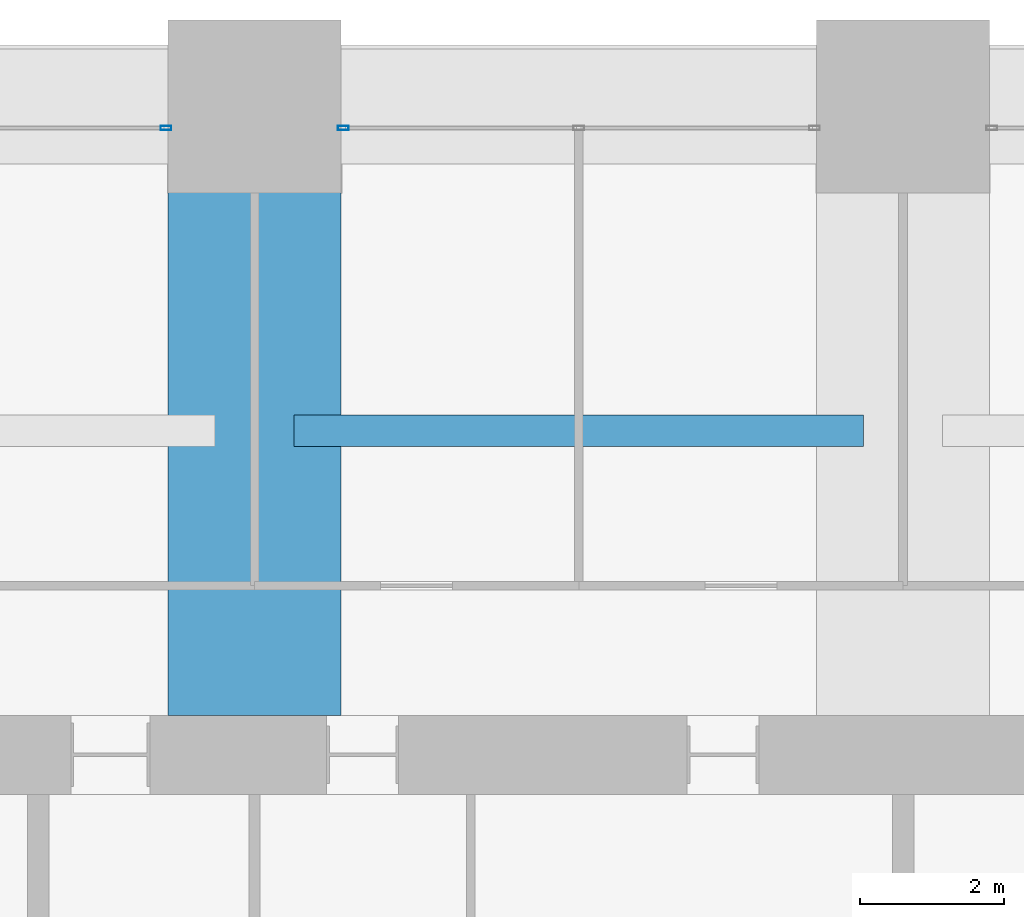
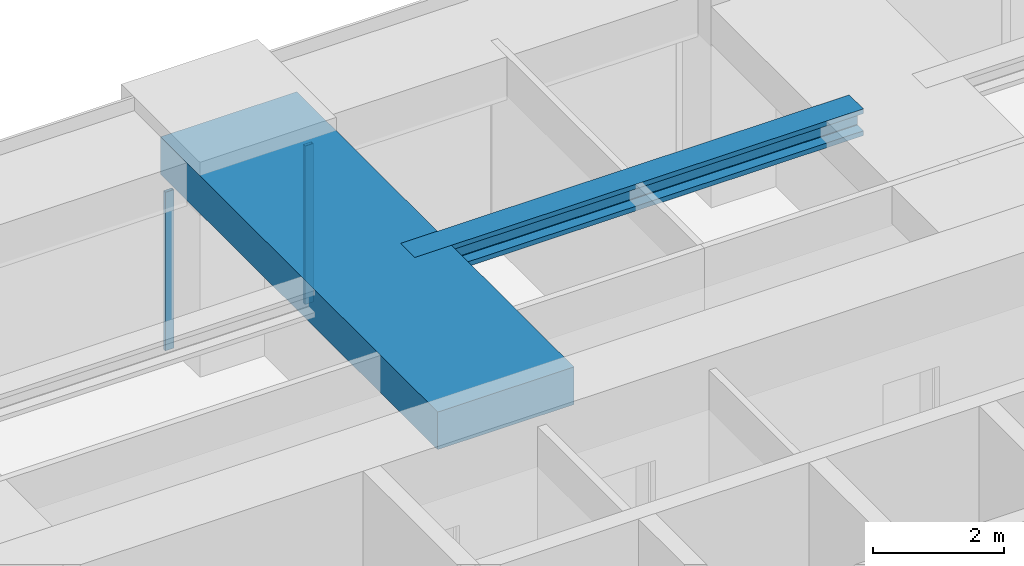
# One storey, part 29 of 43: 2 beams, 2 members, 2 elements without a shape of their own.
"""IFC4 building model written with IfcOpenShell, lengths in metres."""

from ifc_helpers import new_model, si_unit, direction, frame, origin, origin_2d, place, context, subcontext, project, spatial, rectangle, hollow_rectangle, i_section, extrude, material, material_profile, profile_set, type_object, element, aggregate, save


model = new_model("IFC4")

# Units and contexts
model_context = context("Model", 3, precision=1e-05, world=origin(), true_north=direction((0.0, 1.0)))
body_context = subcontext(model_context, "Body", "Model", "MODEL_VIEW")
ifc_project = project(units=[si_unit("LENGTHUNIT", "METRE"), si_unit("AREAUNIT", "SQUARE_METRE"), si_unit("VOLUMEUNIT", "CUBIC_METRE"), si_unit("PLANEANGLEUNIT", "RADIAN"), si_unit("MASSUNIT", "GRAM", prefix="KILO")], contexts=[model_context])

# Site, building, storey
site_placement = place(None, origin())
site = spatial("IfcSite", under=ifc_project, at=site_placement, CompositionType="ELEMENT")
building_placement = place(site_placement, origin())
building = spatial("IfcBuilding", under=site, at=building_placement, Name="Zorevar Civic Tower", CompositionType="ELEMENT")
storey_placement = place(building_placement, frame((0.0, 0.0, 145.0)))
storey = spatial("IfcBuildingStorey", under=building, at=storey_placement, Name="L35", CompositionType="ELEMENT", Elevation=145.0)

# Beam
ifc_material_1 = material(Name="Concrete C50/60", Category="concrete")
ifc_material_profile_1 = material_profile(ifc_material_1, rectangle(XDim=2.39990234375, YDim=0.699951171875, at=origin_2d()), Name="RC 2400x700")
ifc_profile_set_1 = profile_set([ifc_material_profile_1], Name="Concrete C50/60")
beam_type_1 = type_object("IfcBeamType", Name="Beam RC 2400x700", PredefinedType="BEAM", material=ifc_profile_set_1)
beam_1_placement = place(storey_placement, frame((27.0, 36.550048828125, 3.39990234375), z_axis=(0.0, 1.0, 0.0), x_axis=(-1.0, 0.0, 0.0)))
element("IfcBeam", 1, at=beam_1_placement, inside=storey, type_object=beam_type_1, Name="Girder L36", PredefinedType="BEAM", context=body_context, shape_type="SweptSolid", body=[
    extrude(rectangle(XDim=2.39990234375, YDim=0.699951171875, at=origin_2d()), origin(), (0.0, 0.0, 1.0), 8.449951171875),
])

# Curtain wall, member
ifc_material_2 = material(Name="Dark grey solar-control glass in black aluminium frame", Category="aluminium")
curtain_wall_type = type_object("IfcCurtainWallType", Name="Curtain wall CW3 mid zone", PredefinedType="NOTDEFINED", material=ifc_material_2)
curtain_wall_1_placement = place(storey_placement, origin())
curtain_wall_1 = element("IfcCurtainWall", 2, at=curtain_wall_1_placement, inside=storey, type_object=curtain_wall_type, Name="CW3 L35", PredefinedType="NOTDEFINED")
ifc_material_3 = material(Name="Aluminium, black anodised", Category="aluminium")
ifc_material_profile_2 = material_profile(ifc_material_3, hollow_rectangle(XDim=0.06005859375, YDim=0.14990234375, WallThickness=0.00390625, at=origin_2d()), Name="AL 150x60x4")
ifc_profile_set_2 = profile_set([ifc_material_profile_2], Name="Aluminium, black anodised")
member_type = type_object("IfcMemberType", Name="CW3 mullion AL 150x60x4", PredefinedType="MULLION", material=ifc_profile_set_2)
member_1_placement = place(storey_placement, frame((25.77001953125, 44.699951171875, 0.0), z_axis=(0.0, 0.0, 1.0), x_axis=(0.0, 1.0, 0.0)))
member_1 = element("IfcMember", 3, at=member_1_placement, type_object=member_type, Name="CW3 mullion 3", PredefinedType="MULLION", context=body_context, shape_type="SweptSolid", body=[
    extrude(hollow_rectangle(XDim=0.06005859375, YDim=0.14990234375, WallThickness=0.00390625, at=origin_2d()), origin(), (0.0, 0.0, 1.0), 2.949951171875),
])
aggregate(curtain_wall_1, [member_1])

curtain_wall_2_placement = place(storey_placement, origin())
curtain_wall_2 = element("IfcCurtainWall", 4, at=curtain_wall_2_placement, inside=storey, type_object=curtain_wall_type, Name="CW3 L35", PredefinedType="NOTDEFINED")
member_2_placement = place(storey_placement, frame((28.22998046875, 44.699951171875, 0.0), z_axis=(0.0, 0.0, 1.0), x_axis=(0.0, 1.0, 0.0)))
member_2 = element("IfcMember", 5, at=member_2_placement, type_object=member_type, Name="CW3 mullion 1", PredefinedType="MULLION", context=body_context, shape_type="SweptSolid", body=[
    extrude(hollow_rectangle(XDim=0.06005859375, YDim=0.14990234375, WallThickness=0.00390625, at=origin_2d()), origin(), (0.0, 0.0, 1.0), 2.949951171875),
])
aggregate(curtain_wall_2, [member_2])

# Beam
ifc_material_4 = material(Name="Steel S460M (HISTAR 460)", Category="steel")
ifc_material_profile_3 = material_profile(ifc_material_4, i_section(OverallWidth=0.431884765625, OverallDepth=0.498046875, WebThickness=0.0556640625, FlangeThickness=0.0888671875, FilletRadius=0.014892578125, at=origin_2d()), Name="HD 400x744")
ifc_profile_set_3 = profile_set([ifc_material_profile_3], Name="Steel S460M (HISTAR 460)")
beam_type_2 = type_object("IfcBeamType", Name="Core bay beam HD 400x744", PredefinedType="BEAM", material=ifc_profile_set_3)
beam_2_placement = place(storey_placement, frame((27.550048828125, 40.5, 3.5009765625), z_axis=(1.0, 0.0, 0.0), x_axis=(0.0, 1.0, 0.0)))
element("IfcBeam", 6, at=beam_2_placement, inside=storey, type_object=beam_type_2, Name="Secondary beam L36", PredefinedType="BEAM", context=body_context, shape_type="SweptSolid", body=[
    extrude(i_section(OverallWidth=0.431884765625, OverallDepth=0.498046875, WebThickness=0.0556640625, FlangeThickness=0.0888671875, FilletRadius=0.014892578125, at=origin_2d()), origin(), (0.0, 0.0, 1.0), 7.89990234375),
])

save(model, "model.ifc")
